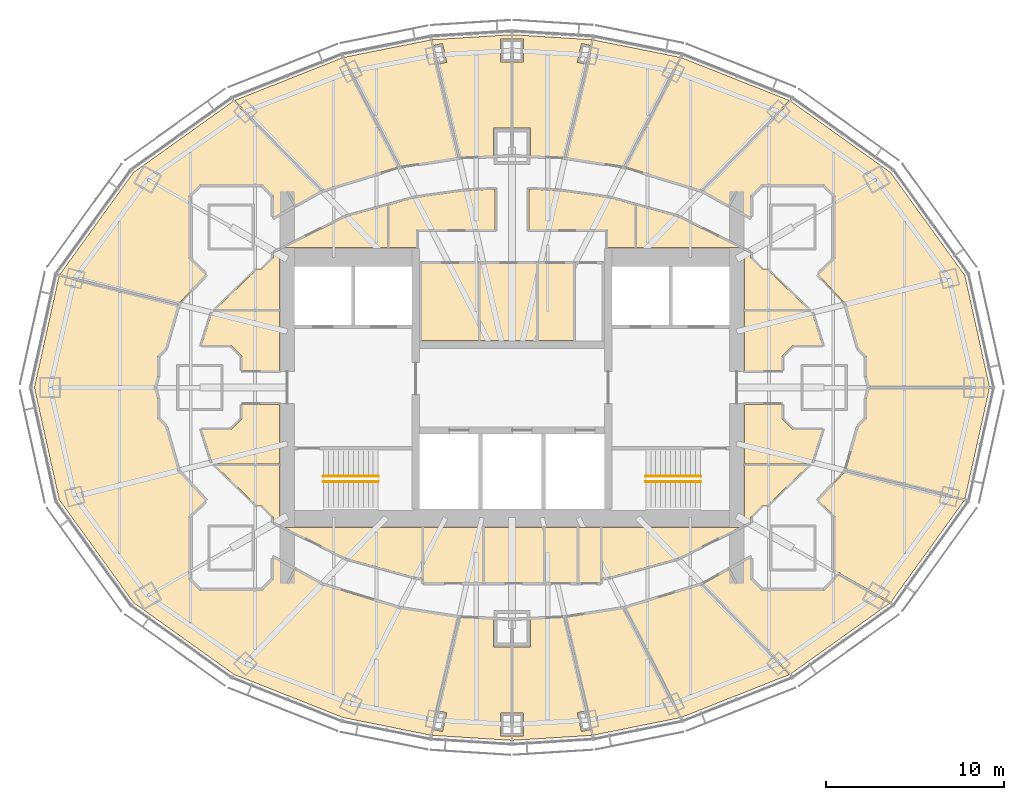
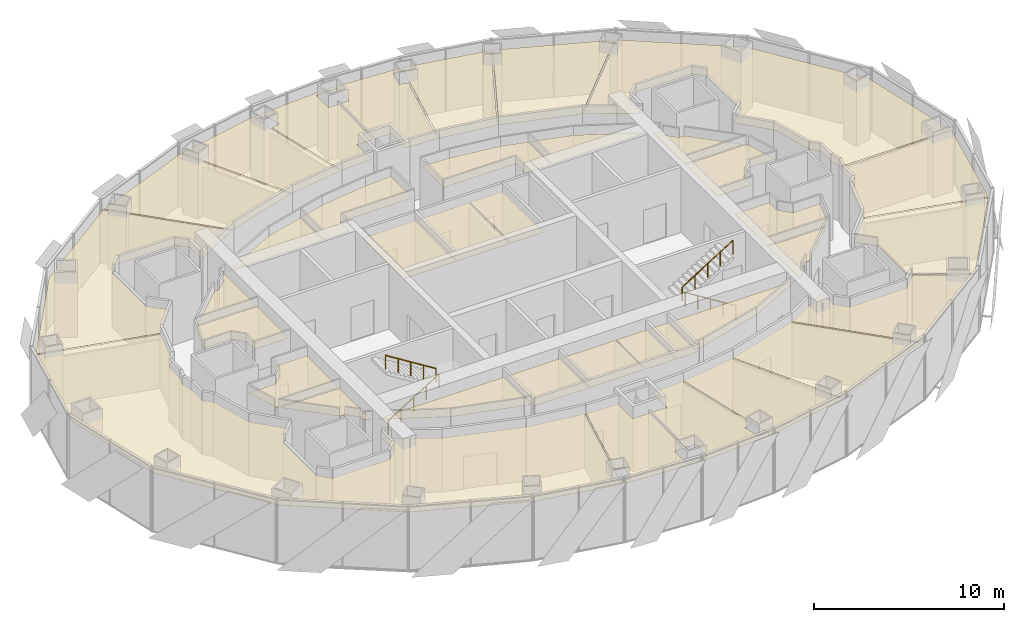
# One storey, part 19 of 19: 37 coverings, 4 railings.
"""IFC4 building model written with IfcOpenShell, lengths in metres."""

from ifc_helpers import new_model, si_unit, direction, frame, origin, origin_2d, place, context, subcontext, project, spatial, polyline, circle, outline, extrude, material, layer, layer_set, type_object, element, save


model = new_model("IFC4")

# Units and contexts
model_context = context("Model", 3, precision=1e-05, world=origin(), true_north=direction((0.0, 1.0)))
body_context = subcontext(model_context, "Body", "Model", "MODEL_VIEW")
ifc_project = project(units=[si_unit("LENGTHUNIT", "METRE"), si_unit("AREAUNIT", "SQUARE_METRE"), si_unit("VOLUMEUNIT", "CUBIC_METRE"), si_unit("PLANEANGLEUNIT", "RADIAN"), si_unit("MASSUNIT", "GRAM", prefix="KILO")], contexts=[model_context])

# Site, building, storey
site_placement = place(None, origin())
site = spatial("IfcSite", under=ifc_project, at=site_placement, CompositionType="ELEMENT")
building_placement = place(site_placement, origin())
building = spatial("IfcBuilding", under=site, at=building_placement, Name="Lantaw Convention Tower", CompositionType="ELEMENT")
storey_placement = place(building_placement, frame((0.0, 0.0, 249.39990234375)))
storey = spatial("IfcBuildingStorey", under=building, at=storey_placement, Name="L58", CompositionType="ELEMENT", Elevation=249.39990234375)

# Railings
ifc_material_1 = material(Name="Stainless steel", Category="steel")
railing_type = type_object("IfcRailingType", Name="Stair handrail", PredefinedType="HANDRAIL", material=ifc_material_1)
railing_1_placement = place(storey_placement, frame((-10.580078125, -5.280029296875, 0.175048828125)))
element("IfcRailing", 1, at=railing_1_placement, inside=storey, type_object=railing_type, Name="Stair handrail S1", PredefinedType="HANDRAIL", context=body_context, shape_type="SweptSolid", body=[
    extrude(circle(Radius=0.02392578125, at=origin_2d()), frame((0.0, 0.0, 0.8759765625), z_axis=(0.847998304005, 0.0, 0.529998940003), x_axis=(0.0, 1.0, 0.0)), (0.0, 0.0, 1.0), 3.632080078125),
    extrude(circle(Radius=0.02099609375, at=origin_2d()), origin(), (0.0, 0.0, 1.0), 0.851806640625),
    extrude(circle(Radius=0.02099609375, at=origin_2d()), frame((0.77001953125, 0.0, 0.481201171875)), (0.0, 0.0, 1.0), 0.851806640625),
    extrude(circle(Radius=0.02099609375, at=origin_2d()), frame((1.5400390625, 0.0, 0.96240234375)), (0.0, 0.0, 1.0), 0.851806640625),
    extrude(circle(Radius=0.02099609375, at=origin_2d()), frame((2.31005859375, 0.0, 1.44384765625)), (0.0, 0.0, 1.0), 0.851806640625),
    extrude(circle(Radius=0.02099609375, at=origin_2d()), frame((3.080078125, 0.0, 1.925048828125)), (0.0, 0.0, 1.0), 0.851806640625),
])
for number, where, name in (
    (2, (-7.5, -4.97998046875, 2.275146484375), "Stair handrail S1"),
    (3, (10.580078125, -5.280029296875, 0.175048828125), "Stair handrail S2"),
):
    element("IfcRailing", number, at=place(storey_placement, frame(where)), inside=storey, type_object=railing_type, Name=name, PredefinedType="HANDRAIL", context=body_context, shape_type="SweptSolid", body=[
        extrude(circle(Radius=0.02392578125, at=origin_2d()), frame((0.0, 0.0, 0.8759765625), z_axis=(-0.847998304005, 0.0, 0.529998940003), x_axis=(0.0, -1.0, 0.0)), (0.0, 0.0, 1.0), 3.632080078125),
        extrude(circle(Radius=0.02099609375, at=origin_2d()), origin(), (0.0, 0.0, 1.0), 0.851806640625),
        extrude(circle(Radius=0.02099609375, at=origin_2d()), frame((-0.77001953125, 0.0, 0.481201171875)), (0.0, 0.0, 1.0), 0.851806640625),
        extrude(circle(Radius=0.02099609375, at=origin_2d()), frame((-1.5400390625, 0.0, 0.96240234375)), (0.0, 0.0, 1.0), 0.851806640625),
        extrude(circle(Radius=0.02099609375, at=origin_2d()), frame((-2.31005859375, 0.0, 1.44384765625)), (0.0, 0.0, 1.0), 0.851806640625),
        extrude(circle(Radius=0.02099609375, at=origin_2d()), frame((-3.080078125, 0.0, 1.925048828125)), (0.0, 0.0, 1.0), 0.851806640625),
    ])
railing_2_placement = place(storey_placement, frame((7.5, -4.97998046875, 2.275146484375)))
element("IfcRailing", 4, at=railing_2_placement, inside=storey, type_object=railing_type, Name="Stair handrail S2", PredefinedType="HANDRAIL", context=body_context, shape_type="SweptSolid", body=[
    extrude(circle(Radius=0.02392578125, at=origin_2d()), frame((0.0, 0.0, 0.8759765625), z_axis=(0.847998304005, 0.0, 0.529998940003), x_axis=(0.0, 1.0, 0.0)), (0.0, 0.0, 1.0), 3.632080078125),
    extrude(circle(Radius=0.02099609375, at=origin_2d()), origin(), (0.0, 0.0, 1.0), 0.851806640625),
    extrude(circle(Radius=0.02099609375, at=origin_2d()), frame((0.77001953125, 0.0, 0.481201171875)), (0.0, 0.0, 1.0), 0.851806640625),
    extrude(circle(Radius=0.02099609375, at=origin_2d()), frame((1.5400390625, 0.0, 0.96240234375)), (0.0, 0.0, 1.0), 0.851806640625),
    extrude(circle(Radius=0.02099609375, at=origin_2d()), frame((2.31005859375, 0.0, 1.44384765625)), (0.0, 0.0, 1.0), 0.851806640625),
    extrude(circle(Radius=0.02099609375, at=origin_2d()), frame((3.080078125, 0.0, 1.925048828125)), (0.0, 0.0, 1.0), 0.851806640625),
])

# Coverings
ifc_material_2 = material(Name="Gypsum board on steel suspension grid", Category="steel")
ifc_layer = layer(ifc_material_2, 0.02001953125)
ifc_layer_set = layer_set([ifc_layer], Name="Suspended ceiling")
covering_type = type_object("IfcCoveringType", Name="Suspended ceiling", PredefinedType="CEILING", material=ifc_layer_set)
covering_1_placement = place(storey_placement, frame((0.0, 0.0, 3.4501953125)))
element("IfcCovering", 5, at=covering_1_placement, inside=storey, type_object=covering_type, Name="Female WC ceiling", PredefinedType="CEILING", context=body_context, shape_type="SweptSolid", body=[
    extrude(outline(polyline([(-5.080078125, 2.639892578125), (-1.88330078125, 2.639892578125), (-1.88330078125, 6.9599609375), (-5.080078125, 6.9599609375), (-5.080078125, 2.639892578125)])), origin(), (0.0, 0.0, 1.0), 0.02001953125),
])
covering_2_placement = place(storey_placement, frame((0.0, 0.0, 3.4501953125)))
element("IfcCovering", 6, at=covering_2_placement, inside=storey, type_object=covering_type, Name="Male WC ceiling", PredefinedType="CEILING", context=body_context, shape_type="SweptSolid", body=[
    extrude(outline(polyline([(-1.80322265625, 2.639892578125), (1.3935546875, 2.639892578125), (1.3935546875, 6.9599609375), (-1.80322265625, 6.9599609375), (-1.80322265625, 2.639892578125)])), origin(), (0.0, 0.0, 1.0), 0.02001953125),
])
covering_3_placement = place(storey_placement, frame((0.0, 0.0, 3.4501953125)))
element("IfcCovering", 7, at=covering_3_placement, inside=storey, type_object=covering_type, Name="Accessible WC ceiling", PredefinedType="CEILING", context=body_context, shape_type="SweptSolid", body=[
    extrude(outline(polyline([(1.4736328125, 2.639892578125), (3.441650390625, 2.639892578125), (3.441650390625, 6.9599609375), (1.4736328125, 6.9599609375), (1.4736328125, 2.639892578125)])), origin(), (0.0, 0.0, 1.0), 0.02001953125),
])
covering_4_placement = place(storey_placement, frame((0.0, 0.0, 3.4501953125)))
element("IfcCovering", 8, at=covering_4_placement, inside=storey, type_object=covering_type, Name="Female WC ceiling", PredefinedType="CEILING", context=body_context, shape_type="SweptSolid", body=[
    extrude(outline(polyline([(-4.9599609375, -10.947021484375), (-1.639892578125, -10.947021484375), (-1.639892578125, -7.840087890625), (-4.9599609375, -7.840087890625), (-4.9599609375, -10.947021484375)])), origin(), (0.0, 0.0, 1.0), 0.02001953125),
])
covering_5_placement = place(storey_placement, frame((0.0, 0.0, 3.4501953125)))
element("IfcCovering", 9, at=covering_5_placement, inside=storey, type_object=covering_type, Name="Male WC ceiling", PredefinedType="CEILING", context=body_context, shape_type="SweptSolid", body=[
    extrude(outline(polyline([(-1.56005859375, -10.947021484375), (1.760009765625, -10.947021484375), (1.760009765625, -7.840087890625), (-1.56005859375, -7.840087890625), (-1.56005859375, -10.947021484375)])), origin(), (0.0, 0.0, 1.0), 0.02001953125),
])
covering_6_placement = place(storey_placement, frame((0.0, 0.0, 3.4501953125)))
element("IfcCovering", 10, at=covering_6_placement, inside=storey, type_object=covering_type, Name="Accessible WC ceiling", PredefinedType="CEILING", context=body_context, shape_type="SweptSolid", body=[
    extrude(outline(polyline([(1.840087890625, -10.947021484375), (3.659912109375, -10.947021484375), (3.659912109375, -7.840087890625), (1.840087890625, -7.840087890625), (1.840087890625, -10.947021484375)])), origin(), (0.0, 0.0, 1.0), 0.02001953125),
])
covering_7_placement = place(storey_placement, frame((0.0, 0.0, 3.4501953125)))
element("IfcCovering", 11, at=covering_7_placement, inside=storey, type_object=covering_type, Name="Pantry ceiling", PredefinedType="CEILING", context=body_context, shape_type="SweptSolid", body=[
    extrude(outline(polyline([(3.739990234375, -10.947021484375), (4.9599609375, -10.947021484375), (4.9599609375, -7.840087890625), (3.739990234375, -7.840087890625), (3.739990234375, -10.947021484375)])), origin(), (0.0, 0.0, 1.0), 0.02001953125),
])
covering_8_placement = place(storey_placement, frame((0.0, 0.0, 3.4501953125)))
element("IfcCovering", 12, at=covering_8_placement, inside=storey, type_object=covering_type, Name="Meeting room ceiling", PredefinedType="CEILING", context=body_context, shape_type="SweptSolid", body=[
    extrude(outline(polyline([(-13.385009765625, -7.518798828125), (-13.3134765625, -7.587890625), (-13.0400390625, -7.723876953125), (-13.0400390625, -4.3798828125), (-16.63037109375, -4.3798828125), (-14.298828125, -6.635009765625), (-14.0087890625, -6.635009765625), (-13.385009765625, -7.2587890625), (-13.385009765625, -7.518798828125)])), origin(), (0.0, 0.0, 1.0), 0.02001953125),
])
covering_9_placement = place(storey_placement, frame((0.0, 0.0, 3.4501953125)))
element("IfcCovering", 13, at=covering_9_placement, inside=storey, type_object=covering_type, Name="Project room ceiling", PredefinedType="CEILING", context=body_context, shape_type="SweptSolid", body=[
    extrude(outline(polyline([(-17.4091796875, -2.364990234375), (-16.8330078125, -4.18408203125), (-16.713134765625, -4.300048828125), (-13.0400390625, -4.300048828125), (-13.0400390625, -0.93994140625), (-15.135009765625, -0.93994140625), (-15.135009765625, -1.7412109375), (-15.7587890625, -2.364990234375), (-17.4091796875, -2.364990234375)])), origin(), (0.0, 0.0, 1.0), 0.02001953125),
])
covering_10_placement = place(storey_placement, frame((0.0, 0.0, 3.4501953125)))
element("IfcCovering", 14, at=covering_10_placement, inside=storey, type_object=covering_type, Name="Tenant storage room ceiling", PredefinedType="CEILING", context=body_context, shape_type="SweptSolid", body=[
    extrude(outline(polyline([(-5.0400390625, -7.840087890625), (-12.806396484375, -7.840087890625), (-9.283447265625, -9.590576171875), (-5.437255859375, -10.647705078125), (-5.0400390625, -10.702880859375), (-5.0400390625, -7.840087890625)])), origin(), (0.0, 0.0, 1.0), 0.02001953125),
])
covering_11_placement = place(storey_placement, frame((0.0, 0.0, 3.4501953125)))
element("IfcCovering", 15, at=covering_11_placement, inside=storey, type_object=covering_type, Name="Meeting room ceiling", PredefinedType="CEILING", context=body_context, shape_type="SweptSolid", body=[
    extrude(outline(polyline([(5.0400390625, -7.840087890625), (5.0400390625, -10.702880859375), (5.437255859375, -10.647705078125), (9.283447265625, -9.590576171875), (12.806396484375, -7.840087890625), (5.0400390625, -7.840087890625)])), origin(), (0.0, 0.0, 1.0), 0.02001953125),
])
covering_12_placement = place(storey_placement, frame((0.0, 0.0, 3.4501953125)))
element("IfcCovering", 16, at=covering_12_placement, inside=storey, type_object=covering_type, Name="Copy and print room ceiling", PredefinedType="CEILING", context=body_context, shape_type="SweptSolid", body=[
    extrude(outline(polyline([(13.0400390625, -7.723876953125), (13.3134765625, -7.587890625), (13.385009765625, -7.518798828125), (13.385009765625, -7.2587890625), (14.0087890625, -6.635009765625), (14.298828125, -6.635009765625), (16.63037109375, -4.3798828125), (13.0400390625, -4.3798828125), (13.0400390625, -7.723876953125)])), origin(), (0.0, 0.0, 1.0), 0.02001953125),
])
covering_13_placement = place(storey_placement, frame((0.0, 0.0, 3.4501953125)))
element("IfcCovering", 17, at=covering_13_placement, inside=storey, type_object=covering_type, Name="Project room ceiling", PredefinedType="CEILING", context=body_context, shape_type="SweptSolid", body=[
    extrude(outline(polyline([(16.8330078125, -4.18408203125), (17.4091796875, -2.364990234375), (15.7587890625, -2.364990234375), (15.135009765625, -1.7412109375), (15.135009765625, -0.93994140625), (13.0400390625, -0.93994140625), (13.0400390625, -4.300048828125), (16.713134765625, -4.300048828125), (16.8330078125, -4.18408203125)])), origin(), (0.0, 0.0, 1.0), 0.02001953125),
])
covering_14_placement = place(storey_placement, frame((0.0, 0.0, 3.4501953125)))
element("IfcCovering", 18, at=covering_14_placement, inside=storey, type_object=covering_type, Name="Meeting room ceiling", PredefinedType="CEILING", context=body_context, shape_type="SweptSolid", body=[
    extrude(outline(polyline([(17.4091796875, 2.364990234375), (16.8330078125, 4.18408203125), (16.713134765625, 4.300048828125), (13.0400390625, 4.300048828125), (13.0400390625, 0.93994140625), (15.135009765625, 0.93994140625), (15.135009765625, 1.7412109375), (15.7587890625, 2.364990234375), (17.4091796875, 2.364990234375)])), origin(), (0.0, 0.0, 1.0), 0.02001953125),
])
covering_15_placement = place(storey_placement, frame((0.0, 0.0, 3.4501953125)))
element("IfcCovering", 19, at=covering_15_placement, inside=storey, type_object=covering_type, Name="Comms room ceiling", PredefinedType="CEILING", context=body_context, shape_type="SweptSolid", body=[
    extrude(outline(polyline([(13.385009765625, 7.518798828125), (13.3134765625, 7.587890625), (13.0400390625, 7.723876953125), (13.0400390625, 4.3798828125), (16.63037109375, 4.3798828125), (14.298828125, 6.635009765625), (14.0087890625, 6.635009765625), (13.385009765625, 7.2587890625), (13.385009765625, 7.518798828125)])), origin(), (0.0, 0.0, 1.0), 0.02001953125),
])
covering_16_placement = place(storey_placement, frame((0.0, 0.0, 3.4501953125)))
element("IfcCovering", 20, at=covering_16_placement, inside=storey, type_object=covering_type, Name="Meeting room ceiling", PredefinedType="CEILING", context=body_context, shape_type="SweptSolid", body=[
    extrude(outline(polyline([(5.360107421875, 8.840087890625), (5.360107421875, 7.840087890625), (6.89990234375, 7.840087890625), (6.89990234375, 10.24560546875), (5.437255859375, 10.647705078125), (2.556396484375, 11.048828125), (0.93994140625, 11.119140625), (0.93994140625, 8.840087890625), (5.360107421875, 8.840087890625)])), origin(), (0.0, 0.0, 1.0), 0.02001953125),
])
covering_17_placement = place(storey_placement, frame((0.0, 0.0, 3.4501953125)))
element("IfcCovering", 21, at=covering_17_placement, inside=storey, type_object=covering_type, Name="Project room ceiling", PredefinedType="CEILING", context=body_context, shape_type="SweptSolid", body=[
    extrude(outline(polyline([(9.283447265625, 9.590576171875), (6.97998046875, 10.2236328125), (6.97998046875, 7.840087890625), (12.806396484375, 7.840087890625), (9.283447265625, 9.590576171875)])), origin(), (0.0, 0.0, 1.0), 0.02001953125),
])
covering_18_placement = place(storey_placement, frame((0.0, 0.0, 3.4501953125)))
element("IfcCovering", 22, at=covering_18_placement, inside=storey, type_object=covering_type, Name="Tenant storage room ceiling", PredefinedType="CEILING", context=body_context, shape_type="SweptSolid", body=[
    extrude(outline(polyline([(-9.283447265625, 9.590576171875), (-12.806396484375, 7.840087890625), (-6.97998046875, 7.840087890625), (-6.97998046875, 10.2236328125), (-9.283447265625, 9.590576171875)])), origin(), (0.0, 0.0, 1.0), 0.02001953125),
])
covering_19_placement = place(storey_placement, frame((0.0, 0.0, 3.4501953125)))
element("IfcCovering", 23, at=covering_19_placement, inside=storey, type_object=covering_type, Name="Meeting room ceiling", PredefinedType="CEILING", context=body_context, shape_type="SweptSolid", body=[
    extrude(outline(polyline([(-5.437255859375, 10.647705078125), (-6.89990234375, 10.24560546875), (-6.89990234375, 7.840087890625), (-5.360107421875, 7.840087890625), (-5.360107421875, 8.840087890625), (-0.93994140625, 8.840087890625), (-0.93994140625, 11.119140625), (-2.556396484375, 11.048828125), (-5.437255859375, 10.647705078125)])), origin(), (0.0, 0.0, 1.0), 0.02001953125),
])
covering_20_placement = place(storey_placement, frame((0.0, 0.0, 3.4501953125)))
element("IfcCovering", 24, at=covering_20_placement, inside=storey, type_object=covering_type, Name="Copy and print room ceiling", PredefinedType="CEILING", context=body_context, shape_type="SweptSolid", body=[
    extrude(outline(polyline([(-16.8330078125, 4.18408203125), (-17.4091796875, 2.364990234375), (-15.7587890625, 2.364990234375), (-15.135009765625, 1.7412109375), (-15.135009765625, 0.93994140625), (-13.0400390625, 0.93994140625), (-13.0400390625, 4.300048828125), (-16.713134765625, 4.300048828125), (-16.8330078125, 4.18408203125)])), origin(), (0.0, 0.0, 1.0), 0.02001953125),
])
covering_21_placement = place(storey_placement, frame((0.0, 0.0, 3.4501953125)))
element("IfcCovering", 25, at=covering_21_placement, inside=storey, type_object=covering_type, Name="Project room ceiling", PredefinedType="CEILING", context=body_context, shape_type="SweptSolid", body=[
    extrude(outline(polyline([(-13.0400390625, 7.723876953125), (-13.3134765625, 7.587890625), (-13.385009765625, 7.518798828125), (-13.385009765625, 7.2587890625), (-14.0087890625, 6.635009765625), (-14.298828125, 6.635009765625), (-16.63037109375, 4.3798828125), (-13.0400390625, 4.3798828125), (-13.0400390625, 7.723876953125)])), origin(), (0.0, 0.0, 1.0), 0.02001953125),
])
covering_22_placement = place(storey_placement, frame((0.0, 0.0, 3.4501953125)))
element("IfcCovering", 26, at=covering_22_placement, inside=storey, type_object=covering_type, Name="Reception ceiling", PredefinedType="CEILING", context=body_context, shape_type="SweptSolid", body=[
    extrude(outline(polyline([(17.1728515625, 6.328125), (18.709228515625, 4.676025390625), (19.418212890625, 2.18798828125), (19.864990234375, 1.7412109375), (19.864990234375, 0.61962890625), (20.0302734375, 0.0400390625), (26.77099609375, 0.0400390625), (25.388916015625, 6.290283203125), (21.224365234375, 12.061767578125), (15.62890625, 16.059326171875), (10.6982421875, 11.020263671875), (13.385009765625, 9.533935546875), (13.385009765625, 10.7412109375), (14.0087890625, 11.364990234375), (17.4912109375, 11.364990234375), (18.114990234375, 10.7412109375), (18.114990234375, 7.2587890625), (17.4912109375, 6.635009765625), (17.47900390625, 6.635009765625), (17.1728515625, 6.328125)])), origin(), (0.0, 0.0, 1.0), 0.02001953125),
])
covering_23_placement = place(storey_placement, frame((0.0, 0.0, 3.4501953125)))
element("IfcCovering", 27, at=covering_23_placement, inside=storey, type_object=covering_type, Name="Private office ceiling", PredefinedType="CEILING", context=body_context, shape_type="SweptSolid", body=[
    extrude(outline(polyline([(10.621337890625, 11.055908203125), (15.553466796875, 16.096923828125), (9.503173828125, 18.49267578125), (6.345458984375, 12.364990234375), (10.621337890625, 11.055908203125)])), origin(), (0.0, 0.0, 1.0), 0.02001953125),
])
covering_24_placement = place(storey_placement, frame((0.0, 0.0, 3.4501953125)))
element("IfcCovering", 28, at=covering_24_placement, inside=storey, type_object=covering_type, Name="Private office ceiling", PredefinedType="CEILING", context=body_context, shape_type="SweptSolid", body=[
    extrude(outline(polyline([(6.265625, 12.384765625), (9.42431640625, 18.514404296875), (4.55859375, 19.492919921875), (3.016845703125, 12.888916015625), (6.265625, 12.384765625)])), origin(), (0.0, 0.0, 1.0), 0.02001953125),
])
covering_25_placement = place(storey_placement, frame((0.0, 0.0, 3.4501953125)))
element("IfcCovering", 29, at=covering_25_placement, inside=storey, type_object=covering_type, Name="Private office ceiling", PredefinedType="CEILING", context=body_context, shape_type="SweptSolid", body=[
    extrude(outline(polyline([(1.0400390625, 12.989501953125), (2.936767578125, 12.897705078125), (4.15625, 18.121826171875), (3.65625, 18.2373046875), (3.899169921875, 19.28955078125), (4.40185546875, 19.173583984375), (4.478759765625, 19.5029296875), (0.0400390625, 19.781982421875), (0.0400390625, 19.5400390625), (0.639892578125, 19.5400390625), (0.639892578125, 18.260009765625), (0.0400390625, 18.260009765625), (0.0400390625, 14.5400390625), (1.0400390625, 14.5400390625), (1.0400390625, 12.989501953125)])), origin(), (0.0, 0.0, 1.0), 0.02001953125),
])
covering_26_placement = place(storey_placement, frame((0.0, 0.0, 3.4501953125)))
element("IfcCovering", 30, at=covering_26_placement, inside=storey, type_object=covering_type, Name="Private office ceiling", PredefinedType="CEILING", context=body_context, shape_type="SweptSolid", body=[
    extrude(outline(polyline([(-2.936767578125, 12.897705078125), (-1.0400390625, 12.989501953125), (-1.0400390625, 14.5400390625), (-0.0400390625, 14.5400390625), (-0.0400390625, 18.260009765625), (-0.639892578125, 18.260009765625), (-0.639892578125, 19.5400390625), (-0.0400390625, 19.5400390625), (-0.0400390625, 19.781982421875), (-4.478759765625, 19.5029296875), (-4.40185546875, 19.173583984375), (-3.899169921875, 19.28955078125), (-3.65625, 18.2373046875), (-4.15625, 18.121826171875), (-2.936767578125, 12.897705078125)])), origin(), (0.0, 0.0, 1.0), 0.02001953125),
])
covering_27_placement = place(storey_placement, frame((0.0, 0.0, 3.4501953125)))
element("IfcCovering", 31, at=covering_27_placement, inside=storey, type_object=covering_type, Name="Private office ceiling", PredefinedType="CEILING", context=body_context, shape_type="SweptSolid", body=[
    extrude(outline(polyline([(-3.016845703125, 12.888916015625), (-4.55859375, 19.492919921875), (-9.42431640625, 18.514404296875), (-6.265625, 12.384765625), (-3.016845703125, 12.888916015625)])), origin(), (0.0, 0.0, 1.0), 0.02001953125),
])
covering_28_placement = place(storey_placement, frame((0.0, 0.0, 3.4501953125)))
element("IfcCovering", 32, at=covering_28_placement, inside=storey, type_object=covering_type, Name="Private office ceiling", PredefinedType="CEILING", context=body_context, shape_type="SweptSolid", body=[
    extrude(outline(polyline([(-6.345458984375, 12.364990234375), (-9.503173828125, 18.49267578125), (-15.553466796875, 16.096923828125), (-10.621337890625, 11.055908203125), (-6.345458984375, 12.364990234375)])), origin(), (0.0, 0.0, 1.0), 0.02001953125),
])
covering_29_placement = place(storey_placement, frame((0.0, 0.0, 3.4501953125)))
element("IfcCovering", 33, at=covering_29_placement, inside=storey, type_object=covering_type, Name="Meeting room ceiling", PredefinedType="CEILING", context=body_context, shape_type="SweptSolid", body=[
    extrude(outline(polyline([(-17.47900390625, 6.635009765625), (-17.4912109375, 6.635009765625), (-18.114990234375, 7.2587890625), (-18.114990234375, 10.7412109375), (-17.4912109375, 11.364990234375), (-14.0087890625, 11.364990234375), (-13.385009765625, 10.7412109375), (-13.385009765625, 9.533935546875), (-10.6982421875, 11.020263671875), (-15.62890625, 16.059326171875), (-21.224365234375, 12.061767578125), (-25.359130859375, 6.331787109375), (-18.686767578125, 4.7001953125), (-17.1728515625, 6.328125), (-17.47900390625, 6.635009765625)])), origin(), (0.0, 0.0, 1.0), 0.02001953125),
])
covering_30_placement = place(storey_placement, frame((0.0, 0.0, 3.4501953125)))
element("IfcCovering", 34, at=covering_30_placement, inside=storey, type_object=covering_type, Name="Open office ceiling", PredefinedType="CEILING", context=body_context, shape_type="SweptSolid", body=[
    extrude(outline(polyline([(-19.864990234375, 0.61962890625), (-19.864990234375, 1.7412109375), (-19.418212890625, 2.18798828125), (-18.72314453125, 4.626708984375), (-25.39599609375, 6.258544921875), (-26.77978515625, 0.0), (-25.388916015625, -6.290283203125), (-21.224365234375, -12.061767578125), (-15.60498046875, -16.076416015625), (-9.472900390625, -18.504638671875), (-4.55859375, -19.492919921875), (-3.016845703125, -12.888916015625), (-6.296875, -12.3798828125), (-10.6484375, -11.047607421875), (-13.385009765625, -9.533935546875), (-13.385009765625, -10.7412109375), (-14.0087890625, -11.364990234375), (-17.4912109375, -11.364990234375), (-18.114990234375, -10.7412109375), (-18.114990234375, -7.2587890625), (-17.4912109375, -6.635009765625), (-17.47900390625, -6.635009765625), (-17.1728515625, -6.328125), (-18.709228515625, -4.676025390625), (-19.418212890625, -2.18798828125), (-19.864990234375, -1.7412109375), (-19.864990234375, -0.61962890625), (-20.04150390625, 0.0), (-19.864990234375, 0.61962890625)])), origin(), (0.0, 0.0, 1.0), 0.02001953125),
])
covering_31_placement = place(storey_placement, frame((0.0, 0.0, 3.4501953125)))
element("IfcCovering", 35, at=covering_31_placement, inside=storey, type_object=covering_type, Name="Private office ceiling", PredefinedType="CEILING", context=body_context, shape_type="SweptSolid", body=[
    extrude(outline(polyline([(-1.0400390625, -12.989501953125), (-2.936767578125, -12.897705078125), (-4.15625, -18.121826171875), (-3.65625, -18.2373046875), (-3.899169921875, -19.28955078125), (-4.40185546875, -19.173583984375), (-4.478759765625, -19.5029296875), (-0.0400390625, -19.781982421875), (-0.0400390625, -19.5400390625), (-0.639892578125, -19.5400390625), (-0.639892578125, -18.260009765625), (-0.0400390625, -18.260009765625), (-0.0400390625, -14.5400390625), (-1.0400390625, -14.5400390625), (-1.0400390625, -12.989501953125)])), origin(), (0.0, 0.0, 1.0), 0.02001953125),
])
covering_32_placement = place(storey_placement, frame((0.0, 0.0, 3.4501953125)))
element("IfcCovering", 36, at=covering_32_placement, inside=storey, type_object=covering_type, Name="Private office ceiling", PredefinedType="CEILING", context=body_context, shape_type="SweptSolid", body=[
    extrude(outline(polyline([(2.936767578125, -12.897705078125), (1.0400390625, -12.989501953125), (1.0400390625, -14.5400390625), (0.0400390625, -14.5400390625), (0.0400390625, -18.260009765625), (0.639892578125, -18.260009765625), (0.639892578125, -19.5400390625), (0.0400390625, -19.5400390625), (0.0400390625, -19.781982421875), (4.478759765625, -19.5029296875), (4.40185546875, -19.173583984375), (3.899169921875, -19.28955078125), (3.65625, -18.2373046875), (4.15625, -18.121826171875), (2.936767578125, -12.897705078125)])), origin(), (0.0, 0.0, 1.0), 0.02001953125),
])
covering_33_placement = place(storey_placement, frame((0.0, 0.0, 3.4501953125)))
element("IfcCovering", 37, at=covering_33_placement, inside=storey, type_object=covering_type, Name="Private office ceiling", PredefinedType="CEILING", context=body_context, shape_type="SweptSolid", body=[
    extrude(outline(polyline([(3.016845703125, -12.888916015625), (4.55859375, -19.492919921875), (9.42431640625, -18.514404296875), (6.265625, -12.384765625), (3.016845703125, -12.888916015625)])), origin(), (0.0, 0.0, 1.0), 0.02001953125),
])
covering_34_placement = place(storey_placement, frame((0.0, 0.0, 3.4501953125)))
element("IfcCovering", 38, at=covering_34_placement, inside=storey, type_object=covering_type, Name="Private office ceiling", PredefinedType="CEILING", context=body_context, shape_type="SweptSolid", body=[
    extrude(outline(polyline([(6.345458984375, -12.364990234375), (9.503173828125, -18.49267578125), (15.553466796875, -16.096923828125), (10.621337890625, -11.055908203125), (6.345458984375, -12.364990234375)])), origin(), (0.0, 0.0, 1.0), 0.02001953125),
])
covering_35_placement = place(storey_placement, frame((0.0, 0.0, 3.4501953125)))
element("IfcCovering", 39, at=covering_35_placement, inside=storey, type_object=covering_type, Name="Private office ceiling", PredefinedType="CEILING", context=body_context, shape_type="SweptSolid", body=[
    extrude(outline(polyline([(13.385009765625, -10.7412109375), (13.385009765625, -9.533935546875), (10.6982421875, -11.020263671875), (15.62890625, -16.059326171875), (21.178466796875, -12.094482421875), (18.344970703125, -10.499755859375), (18.114990234375, -10.72900390625), (18.114990234375, -10.7412109375), (17.4912109375, -11.364990234375), (14.0087890625, -11.364990234375), (13.385009765625, -10.7412109375)])), origin(), (0.0, 0.0, 1.0), 0.02001953125),
])
covering_36_placement = place(storey_placement, frame((0.0, 0.0, 3.4501953125)))
element("IfcCovering", 40, at=covering_36_placement, inside=storey, type_object=covering_type, Name="Pantry ceiling", PredefinedType="CEILING", context=body_context, shape_type="SweptSolid", body=[
    extrude(outline(polyline([(17.47900390625, -6.635009765625), (17.4912109375, -6.635009765625), (18.114990234375, -7.2587890625), (18.114990234375, -10.278564453125), (18.32763671875, -10.3984375), (18.34423828125, -10.3818359375), (18.3974609375, -10.373779296875), (18.40966796875, -10.435302734375), (18.40380859375, -10.441162109375), (21.241455078125, -12.0380859375), (25.359130859375, -6.331787109375), (18.686767578125, -4.7001953125), (17.1728515625, -6.328125), (17.47900390625, -6.635009765625)])), origin(), (0.0, 0.0, 1.0), 0.02001953125),
])
covering_37_placement = place(storey_placement, frame((0.0, 0.0, 3.4501953125)))
element("IfcCovering", 41, at=covering_37_placement, inside=storey, type_object=covering_type, Name="Quiet room ceiling", PredefinedType="CEILING", context=body_context, shape_type="SweptSolid", body=[
    extrude(outline(polyline([(19.418212890625, -2.18798828125), (18.72314453125, -4.626708984375), (25.39599609375, -6.258544921875), (26.77099609375, -0.0400390625), (20.0302734375, -0.0400390625), (19.864990234375, -0.61962890625), (19.864990234375, -1.7412109375), (19.418212890625, -2.18798828125)])), origin(), (0.0, 0.0, 1.0), 0.02001953125),
])

save(model, "model.ifc")
